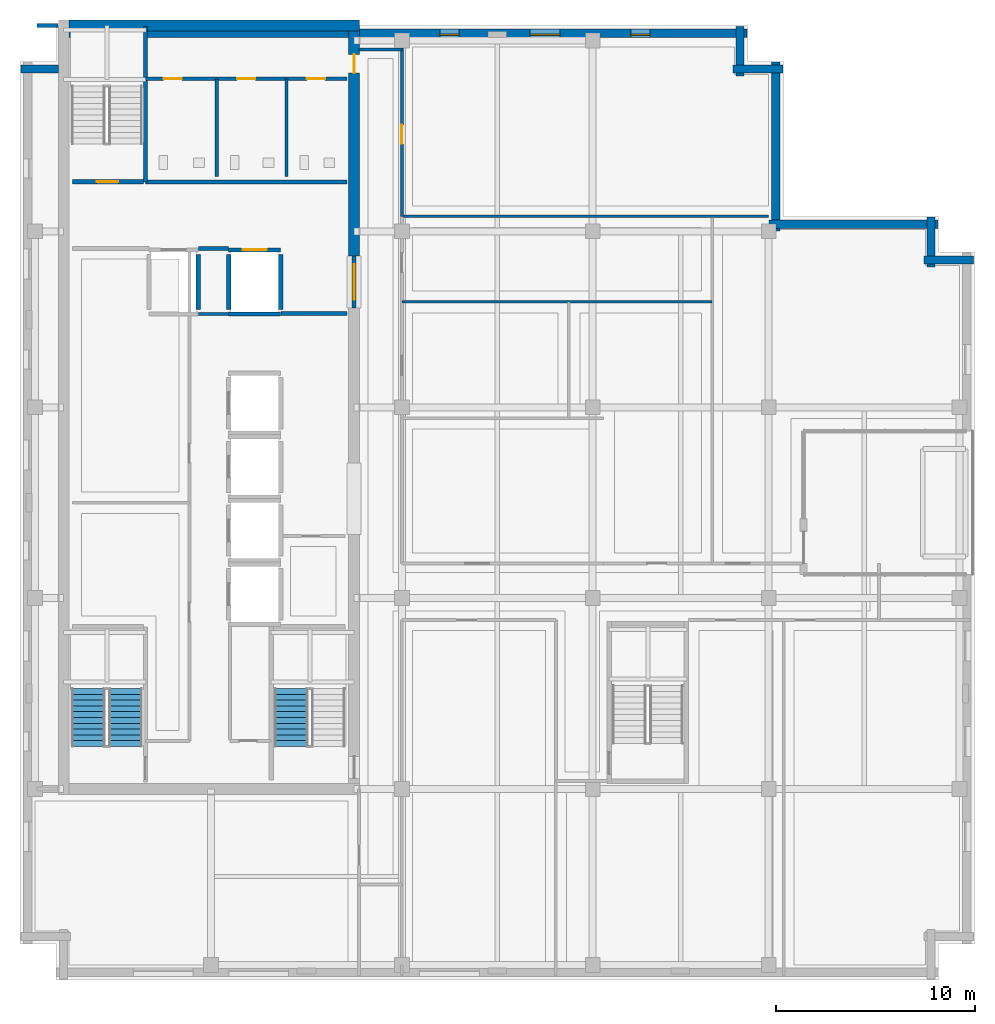
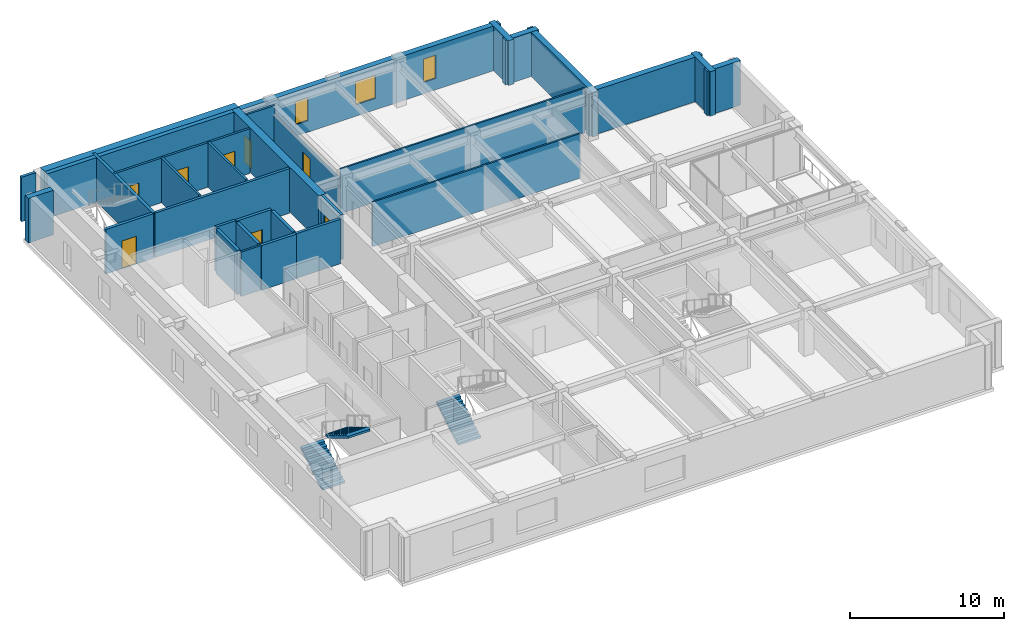
# One storey, part 5 of 13: 30 walls, 8 doors, 3 stair flights, 3 windows, 11 openings, 2 elements without a shape of their own.
"""IFC4 building model written with IfcOpenShell, lengths in metres."""

from ifc_helpers import new_model, si_unit, direction, frame, frame_2d, origin, place, context, subcontext, project, spatial, polyline, rectangle, outline, extrude, material, layer, layer_set, type_object, element, fill, aggregate, save


model = new_model("IFC4")

# Units and contexts
model_context = context("Model", 3, precision=1e-05, world=origin(), true_north=direction((0.0, 1.0)))
body_context = subcontext(model_context, "Body", "Model", "MODEL_VIEW")
ifc_project = project(units=[si_unit("LENGTHUNIT", "METRE"), si_unit("AREAUNIT", "SQUARE_METRE"), si_unit("VOLUMEUNIT", "CUBIC_METRE"), si_unit("PLANEANGLEUNIT", "RADIAN"), si_unit("MASSUNIT", "GRAM", prefix="KILO")], contexts=[model_context])

# Site, building, storey
site_placement = place(None, origin())
site = spatial("IfcSite", under=ifc_project, at=site_placement, CompositionType="ELEMENT")
building_placement = place(site_placement, origin())
building = spatial("IfcBuilding", under=site, at=building_placement, Name="Norrvale University Quadrangle", CompositionType="ELEMENT")
storey_placement = place(building_placement, frame((0.0, 0.0, 277.199951171875)))
storey = spatial("IfcBuildingStorey", under=building, at=storey_placement, Name="L70", CompositionType="ELEMENT", Elevation=277.199951171875)

# Walls
ifc_material_1 = material(Name="Buff Norman Clay Brick Masonry", Category="masonry")
ifc_layer_1 = layer(ifc_material_1, 0.419921875, Name="Buff Norman Clay Brick Masonry")
ifc_layer_set_1 = layer_set([ifc_layer_1], Name="Buff Norman Clay Brick Masonry")
wall_type_1 = type_object("IfcWallType", Name="Wall Buff Brick 420", PredefinedType="SOLIDWALL", material=ifc_layer_set_1)
for number, where, z_axis, x_axis, name in (
    (1, (47.9599609375, 36.2099609375, 0.0), (0.0, 0.0, 1.0), (-1.0, 0.0, 0.0), "Exterior Brick Facade Wall L70-05.1"),
    (2, (45.81005859375, 35.860107421875, 0.0), (0.0, 0.0, 1.0), (0.0, 1.0, 0.0), "Exterior Brick Facade Wall L70-06.1"),
):
    element("IfcWall", number, at=place(storey_placement, frame(where, z_axis=z_axis, x_axis=x_axis)), inside=storey, type_object=wall_type_1, Name=name, PredefinedType="SOLIDWALL", context=body_context, shape_type="SweptSolid", body=[
        extrude(rectangle(XDim=2.5, YDim=0.419921875, at=frame_2d((1.25, 0.0))), origin(), (0.0, 0.0, 1.0), 3.5400390625),
    ])
for number, where, z_axis, x_axis, name in (
    (3, (46.159912109375, 38.010009765625, 0.0), (0.0, 0.0, 1.0), (-1.0, 0.0, 0.0), "Exterior Brick Facade Wall L70-07.1"),
    (4, (38.010009765625, 37.659912109375, 0.0), (0.0, 0.0, 1.0), (0.0, 1.0, 0.0), "Exterior Brick Facade Wall L70-08.1"),
):
    element("IfcWall", number, at=place(storey_placement, frame(where, z_axis=z_axis, x_axis=x_axis)), inside=storey, type_object=wall_type_1, Name=name, PredefinedType="SOLIDWALL", context=body_context, shape_type="SweptSolid", body=[
        extrude(rectangle(XDim=8.5, YDim=0.419921875, at=frame_2d((4.25, 0.0))), origin(), (0.0, 0.0, 1.0), 3.5400390625),
    ])
for number, where, z_axis, x_axis, name in (
    (5, (38.360107421875, 45.81005859375, 0.0), (0.0, 0.0, 1.0), (-1.0, 0.0, 0.0), "Exterior Brick Facade Wall L70-09.1"),
    (6, (36.2099609375, 45.4599609375, 0.0), (0.0, 0.0, 1.0), (0.0, 1.0, 0.0), "Exterior Brick Facade Wall L70-10.1"),
):
    element("IfcWall", number, at=place(storey_placement, frame(where, z_axis=z_axis, x_axis=x_axis)), inside=storey, type_object=wall_type_1, Name=name, PredefinedType="SOLIDWALL", context=body_context, shape_type="SweptSolid", body=[
        extrude(rectangle(XDim=2.5, YDim=0.419921875, at=frame_2d((1.25, 0.0))), origin(), (0.0, 0.0, 1.0), 3.5400390625),
    ])

# Wall, openings, windows
wall_1_placement = place(storey_placement, frame((36.56005859375, 47.610107421875, 0.0), z_axis=(0.0, 0.0, 1.0), x_axis=(-1.0, 0.0, 0.0)))
wall_1 = element("IfcWall", 7, at=wall_1_placement, inside=storey, type_object=wall_type_1, Name="Exterior Brick Facade Wall L70-11.1", PredefinedType="SOLIDWALL", context=body_context, shape_type="SweptSolid", body=[
    extrude(rectangle(XDim=34.0849609375, YDim=0.419921875, at=frame_2d((17.04248046875, 0.0))), origin(), (0.0, 0.0, 1.0), 3.5400390625),
])
opening_1_placement = place(wall_1_placement, frame((4.885009765625, 0.0, 0.89990234375)))
opening_1 = element("IfcOpeningElement", 8, at=opening_1_placement, cuts=wall_1, Name="Opening W04", PredefinedType="OPENING", context=body_context, shape_type="SweptSolid", body=[
    extrude(rectangle(XDim=0.949951171875, YDim=1.85009765625, at=frame_2d((0.47509765625, 0.925048828125))), frame((0.0, 0.221923828125, 0.0), z_axis=(0.0, -1.0, 0.0), x_axis=(1.0, 0.0, 0.0)), (0.0, 0.0, 1.0), 0.44384765625),
])
opening_2_placement = place(wall_1_placement, frame((9.409912109375, 0.0, 0.89990234375)))
opening_2 = element("IfcOpeningElement", 9, at=opening_2_placement, cuts=wall_1, Name="Opening W03", PredefinedType="OPENING", context=body_context, shape_type="SweptSolid", body=[
    extrude(rectangle(XDim=1.5, YDim=1.85009765625, at=frame_2d((0.75, 0.925048828125))), frame((0.0, 0.221923828125, 0.0), z_axis=(0.0, -1.0, 0.0), x_axis=(1.0, 0.0, 0.0)), (0.0, 0.0, 1.0), 0.44384765625),
])
opening_3_placement = place(wall_1_placement, frame((14.485107421875, 0.0, 0.89990234375)))
opening_3 = element("IfcOpeningElement", 10, at=opening_3_placement, cuts=wall_1, Name="Opening W04", PredefinedType="OPENING", context=body_context, shape_type="SweptSolid", body=[
    extrude(rectangle(XDim=0.949951171875, YDim=1.85009765625, at=frame_2d((0.47509765625, 0.925048828125))), frame((0.0, 0.221923828125, 0.0), z_axis=(0.0, -1.0, 0.0), x_axis=(1.0, 0.0, 0.0)), (0.0, 0.0, 1.0), 0.44384765625),
])
ifc_material_2 = material(Name="Triple Low-E Argon Glazing", Category="glass")
window_type_1 = type_object("IfcWindowType", Name="Window Narrow Pier 950x2300", PartitioningType="SINGLE_PANEL", PredefinedType="WINDOW", material=ifc_material_2)
window_1_placement = place(opening_1_placement, origin())
window_1 = element("IfcWindow", 11, at=window_1_placement, inside=storey, type_object=window_type_1, Name="Window Narrow Pier 950x2300 WIN-L70-E11-1-01", OverallHeight=1.85009765625, OverallWidth=0.949951171875, PartitioningType="SINGLE_PANEL", PredefinedType="WINDOW", context=body_context, shape_type="SweptSolid", body=[
    extrude(rectangle(XDim=0.949951171875, YDim=1.85009765625, at=frame_2d((0.47509765625, 0.925048828125))), frame((0.0, 0.110107421875, 0.0), z_axis=(0.0, -1.0, 0.0), x_axis=(1.0, 0.0, 0.0)), (0.0, 0.0, 1.0), 0.06005859375),
])
fill(opening_1, window_1)
window_2_placement = place(opening_3_placement, origin())
window_2 = element("IfcWindow", 12, at=window_2_placement, inside=storey, type_object=window_type_1, Name="Window Narrow Pier 950x2300 WIN-L70-E11-1-03", OverallHeight=1.85009765625, OverallWidth=0.949951171875, PartitioningType="SINGLE_PANEL", PredefinedType="WINDOW", context=body_context, shape_type="SweptSolid", body=[
    extrude(rectangle(XDim=0.949951171875, YDim=1.85009765625, at=frame_2d((0.47509765625, 0.925048828125))), frame((0.0, 0.110107421875, 0.0), z_axis=(0.0, -1.0, 0.0), x_axis=(1.0, 0.0, 0.0)), (0.0, 0.0, 1.0), 0.06005859375),
])
fill(opening_3, window_2)
window_type_2 = type_object("IfcWindowType", Name="Window Studio 1500x2300", PartitioningType="DOUBLE_PANEL_VERTICAL", PredefinedType="WINDOW", material=ifc_material_2)
window_3_placement = place(opening_2_placement, origin())
window_3 = element("IfcWindow", 13, at=window_3_placement, inside=storey, type_object=window_type_2, Name="Window Studio 1500x2300 WIN-L70-E11-1-02", OverallHeight=1.85009765625, OverallWidth=1.5, PartitioningType="DOUBLE_PANEL_VERTICAL", PredefinedType="WINDOW", context=body_context, shape_type="SweptSolid", body=[
    extrude(rectangle(XDim=1.5, YDim=1.85009765625, at=frame_2d((0.75, 0.925048828125))), frame((0.0, 0.110107421875, 0.0), z_axis=(0.0, -1.0, 0.0), x_axis=(1.0, 0.0, 0.0)), (0.0, 0.0, 1.0), 0.06005859375),
])
fill(opening_2, window_3)

# Walls
wall_2_placement = place(storey_placement, frame((1.925048828125, 45.81005859375, 0.0), z_axis=(0.0, 0.0, 1.0), x_axis=(-1.0, 0.0, 0.0)))
element("IfcWall", 14, at=wall_2_placement, inside=storey, type_object=wall_type_1, Name="Exterior Brick Facade Wall L70-13.1", PredefinedType="SOLIDWALL", context=body_context, shape_type="SweptSolid", body=[
    extrude(rectangle(XDim=1.885009765625, YDim=0.419921875, at=frame_2d((0.9423828125, 0.0))), origin(), (0.0, 0.0, 1.0), 3.5400390625),
])
ifc_material_3 = material(Name="Concrete C60/75", Category="concrete")
ifc_layer_2 = layer(ifc_material_3, 0.550048828125, Name="Concrete C60/75")
ifc_layer_set_2 = layer_set([ifc_layer_2], Name="Concrete C60/75")
wall_type_2 = type_object("IfcWallType", Name="Wall Core 550", PredefinedType="SHEAR", material=ifc_layer_set_2)
wall_3_placement = place(storey_placement, frame((2.47509765625, 48.0, 0.0), z_axis=(0.0, 0.0, 1.0), x_axis=(1.0, 0.0, 0.0)))
element("IfcWall", 15, at=wall_3_placement, inside=storey, type_object=wall_type_2, Name="Tower Core Shear Wall L70-N", PredefinedType="SHEAR", context=body_context, shape_type="SweptSolid", body=[
    extrude(rectangle(XDim=14.599853515625, YDim=0.550048828125, at=frame_2d((7.2998046875, 0.0))), origin(), (0.0, 0.0, 1.0), 3.5400390625),
])

# Wall, opening, door
wall_4_placement = place(storey_placement, frame((16.800048828125, 36.39990234375, 0.0), z_axis=(0.0, 0.0, 1.0), x_axis=(0.0, 1.0, 0.0)))
wall_4 = element("IfcWall", 16, at=wall_4_placement, inside=storey, type_object=wall_type_2, Name="Tower Core Shear Wall L70-E3", PredefinedType="SHEAR", context=body_context, shape_type="SweptSolid", body=[
    extrude(rectangle(XDim=11.3251953125, YDim=0.550048828125, at=frame_2d((5.66259765625, 0.0))), origin(), (0.0, 0.0, 1.0), 3.5400390625),
])
opening_4_placement = place(wall_4_placement, frame((9.199951171875, 0.0, 0.0)))
opening_4 = element("IfcOpeningElement", 17, at=opening_4_placement, cuts=wall_4, Name="Opening D07", PredefinedType="OPENING", context=body_context, shape_type="SweptSolid", body=[
    extrude(rectangle(XDim=0.949951171875, YDim=2.14990234375, at=frame_2d((0.47509765625, 1.074951171875))), frame((0.0, 0.287109375, 0.0), z_axis=(0.0, -1.0, 0.0), x_axis=(1.0, 0.0, 0.0)), (0.0, 0.0, 1.0), 0.573974609375),
])
ifc_material_4 = material(Name="Solid-Core Maple Door", Category="wood")
door_type_1 = type_object("IfcDoorType", Name="Door Office 950x2150", OperationType="NOTDEFINED", PredefinedType="DOOR", material=ifc_material_4)
door_1_placement = place(opening_4_placement, origin())
door_1 = element("IfcDoor", 18, at=door_1_placement, inside=storey, type_object=door_type_1, Name="Door Office 950x2150 DR-L70-NECORR", OperationType="SINGLE_SWING_LEFT", OverallHeight=2.14990234375, OverallWidth=0.949951171875, PredefinedType="DOOR", context=body_context, shape_type="SweptSolid", body=[
    extrude(rectangle(XDim=0.949951171875, YDim=2.14990234375, at=frame_2d((0.47509765625, 1.074951171875))), frame((0.0, 0.02490234375, 0.0), z_axis=(0.0, -1.0, 0.0), x_axis=(1.0, 0.0, 0.0)), (0.0, 0.0, 1.0), 0.050048828125),
])
fill(opening_4, door_1)

# Walls
ifc_material_5 = material(Name="Standard Academic Gypsum Partition")
ifc_layer_3 = layer(ifc_material_5, 0.125, Name="Standard Academic Gypsum Partition")
ifc_layer_set_3 = layer_set([ifc_layer_3], Name="Standard Academic Gypsum Partition")
wall_type_3 = type_object("IfcWallType", Name="Wall Gypsum Academic 125", PredefinedType="PARTITIONING", material=ifc_layer_set_3)
wall_5_placement = place(storey_placement, frame((19.199951171875, 34.10009765625, 0.0), z_axis=(0.0, 0.0, 1.0), x_axis=(1.0, 0.0, 0.0)))
element("IfcWall", 19, at=wall_5_placement, inside=storey, type_object=wall_type_3, Name="Interior Partition WL-L70-MEN-M2", PredefinedType="PARTITIONING", context=body_context, shape_type="SweptSolid", body=[
    extrude(rectangle(XDim=15.60009765625, YDim=0.125, at=frame_2d((7.800048828125, 0.0))), origin(), (0.0, 0.0, 1.0), 3.5400390625),
])
wall_6_placement = place(storey_placement, frame((19.280029296875, 38.39990234375, 0.0), z_axis=(0.0, 0.0, 1.0), x_axis=(1.0, 0.0, 0.0)))
element("IfcWall", 20, at=wall_6_placement, inside=storey, type_object=wall_type_3, Name="Interior Partition WL-L70-MEN-N", PredefinedType="PARTITIONING", context=body_context, shape_type="SweptSolid", body=[
    extrude(rectangle(XDim=18.369873046875, YDim=0.125, at=frame_2d((9.18505859375, 0.0))), origin(), (0.0, 0.0, 1.0), 3.5400390625),
])
ifc_material_6 = material(Name="Fire-Rated Gypsum Stud Partition")
ifc_layer_4 = layer(ifc_material_6, 0.14990234375, Name="Fire-Rated Gypsum Stud Partition")
ifc_layer_set_4 = layer_set([ifc_layer_4], Name="Fire-Rated Gypsum Stud Partition")
wall_type_4 = type_object("IfcWallType", Name="Wall Gypsum Corridor 150", PredefinedType="PARTITIONING", material=ifc_layer_set_4)
wall_7_placement = place(storey_placement, frame((8.965087890625, 33.489990234375, 0.0), z_axis=(0.0, 0.0, 1.0), x_axis=(1.0, 0.0, 0.0)))
element("IfcWall", 21, at=wall_7_placement, inside=storey, type_object=wall_type_4, Name="Interior Partition WL-L70-LL3", PredefinedType="PARTITIONING", context=body_context, shape_type="SweptSolid", body=[
    extrude(rectangle(XDim=1.52001953125, YDim=0.14990234375, at=frame_2d((0.760009765625, 0.0))), origin(), (0.0, 0.0, 1.0), 3.5400390625),
])
wall_8_placement = place(storey_placement, frame((17.050048828125, 46.800048828125, 0.0), z_axis=(0.0, 0.0, 1.0), x_axis=(1.0, 0.0, 0.0)))
element("IfcWall", 22, at=wall_8_placement, inside=storey, type_object=wall_type_4, Name="Interior Partition WL-L70-CSP-N", PredefinedType="PARTITIONING", context=body_context, shape_type="SweptSolid", body=[
    extrude(rectangle(XDim=2.14990234375, YDim=0.14990234375, at=frame_2d((1.074951171875, 0.0))), origin(), (0.0, 0.0, 1.0), 3.5400390625),
])

# Wall, opening, door
wall_9_placement = place(storey_placement, frame((19.199951171875, 38.39990234375, 0.0), z_axis=(0.0, 0.0, 1.0), x_axis=(0.0, 1.0, 0.0)))
wall_9 = element("IfcWall", 23, at=wall_9_placement, inside=storey, type_object=wall_type_4, Name="Interior Partition WL-L70-NECW", PredefinedType="PARTITIONING", context=body_context, shape_type="SweptSolid", body=[
    extrude(rectangle(XDim=9.050048828125, YDim=0.14990234375, at=frame_2d((4.52490234375, 0.0))), origin(), (0.0, 0.0, 1.0), 2.844970703125),
])
opening_5_placement = place(wall_9_placement, frame((3.64990234375, 0.0, 0.0)))
opening_5 = element("IfcOpeningElement", 24, at=opening_5_placement, cuts=wall_9, Name="Opening D07", PredefinedType="OPENING", context=body_context, shape_type="SweptSolid", body=[
    extrude(rectangle(XDim=0.949951171875, YDim=2.14990234375, at=frame_2d((0.47509765625, 1.074951171875))), frame((0.0, 0.0869140625, 0.0), z_axis=(0.0, -1.0, 0.0), x_axis=(1.0, 0.0, 0.0)), (0.0, 0.0, 1.0), 0.173828125),
])
door_2_placement = place(opening_5_placement, origin())
door_2 = element("IfcDoor", 25, at=door_2_placement, inside=storey, type_object=door_type_1, Name="Door Office 950x2150 DR-L70-NE01", OperationType="SINGLE_SWING_RIGHT", OverallHeight=2.14990234375, OverallWidth=0.949951171875, PredefinedType="DOOR", context=body_context, shape_type="SweptSolid", body=[
    extrude(rectangle(XDim=0.949951171875, YDim=2.14990234375, at=frame_2d((0.47509765625, 1.074951171875))), frame((0.0, 0.02490234375, 0.0), z_axis=(0.0, -1.0, 0.0), x_axis=(1.0, 0.0, 0.0)), (0.0, 0.0, 1.0), 0.050048828125),
])
fill(opening_5, door_2)

# Wall, openings, doors
ifc_material_7 = material(Name="Sanitary Chase Gypsum Partition")
ifc_layer_5 = layer(ifc_material_7, 0.1650390625, Name="Sanitary Chase Gypsum Partition")
ifc_layer_set_5 = layer_set([ifc_layer_5], Name="Sanitary Chase Gypsum Partition")
wall_type_5 = type_object("IfcWallType", Name="Wall Gypsum Sanitary 165", PredefinedType="PLUMBINGWALL", material=ifc_layer_set_5)
wall_10_placement = place(storey_placement, frame((6.320068359375, 45.320068359375, 0.0), z_axis=(0.0, 0.0, 1.0), x_axis=(1.0, 0.0, 0.0)))
wall_10 = element("IfcWall", 26, at=wall_10_placement, inside=storey, type_object=wall_type_5, Name="Interior Partition WL-L70-WCN", PredefinedType="PLUMBINGWALL", context=body_context, shape_type="SweptSolid", body=[
    extrude(rectangle(XDim=10.1298828125, YDim=0.1650390625, at=frame_2d((5.06494140625, 0.0))), origin(), (0.0, 0.0, 1.0), 3.5400390625),
])
opening_6_placement = place(wall_10_placement, frame((0.89990234375, 0.0, 0.0)))
opening_6 = element("IfcOpeningElement", 27, at=opening_6_placement, cuts=wall_10, Name="Opening D08", PredefinedType="OPENING", context=body_context, shape_type="SweptSolid", body=[
    extrude(rectangle(XDim=0.919921875, YDim=2.14990234375, at=frame_2d((0.4599609375, 1.074951171875))), frame((0.0, 0.094482421875, 0.0), z_axis=(0.0, -1.0, 0.0), x_axis=(1.0, 0.0, 0.0)), (0.0, 0.0, 1.0), 0.18896484375),
])
opening_7_placement = place(wall_10_placement, frame((4.60009765625, 0.0, 0.0)))
opening_7 = element("IfcOpeningElement", 28, at=opening_7_placement, cuts=wall_10, Name="Opening D08", PredefinedType="OPENING", context=body_context, shape_type="SweptSolid", body=[
    extrude(rectangle(XDim=0.919921875, YDim=2.14990234375, at=frame_2d((0.4599609375, 1.074951171875))), frame((0.0, 0.094482421875, 0.0), z_axis=(0.0, -1.0, 0.0), x_axis=(1.0, 0.0, 0.0)), (0.0, 0.0, 1.0), 0.18896484375),
])
opening_8_placement = place(wall_10_placement, frame((8.10009765625, 0.0, 0.0)))
opening_8 = element("IfcOpeningElement", 29, at=opening_8_placement, cuts=wall_10, Name="Opening D08", PredefinedType="OPENING", context=body_context, shape_type="SweptSolid", body=[
    extrude(rectangle(XDim=0.919921875, YDim=2.14990234375, at=frame_2d((0.4599609375, 1.074951171875))), frame((0.0, 0.094482421875, 0.0), z_axis=(0.0, -1.0, 0.0), x_axis=(1.0, 0.0, 0.0)), (0.0, 0.0, 1.0), 0.18896484375),
])
ifc_material_8 = material(Name="Laminate Washroom Door", Category="wood")
door_type_2 = type_object("IfcDoorType", Name="Door Washroom 920x2150", OperationType="NOTDEFINED", PredefinedType="DOOR", material=ifc_material_8)
door_3_placement = place(opening_6_placement, origin())
door_3 = element("IfcDoor", 30, at=door_3_placement, inside=storey, type_object=door_type_2, Name="Door Washroom 920x2150 DR-L70-WC1", OperationType="SINGLE_SWING_LEFT", OverallHeight=2.14990234375, OverallWidth=0.919921875, PredefinedType="DOOR", context=body_context, shape_type="SweptSolid", body=[
    extrude(rectangle(XDim=0.919921875, YDim=2.14990234375, at=frame_2d((0.4599609375, 1.074951171875))), frame((0.0, 0.02490234375, 0.0), z_axis=(0.0, -1.0, 0.0), x_axis=(1.0, 0.0, 0.0)), (0.0, 0.0, 1.0), 0.050048828125),
])
fill(opening_6, door_3)
door_4_placement = place(opening_7_placement, origin())
door_4 = element("IfcDoor", 31, at=door_4_placement, inside=storey, type_object=door_type_2, Name="Door Washroom 920x2150 DR-L70-WC2", OperationType="SINGLE_SWING_RIGHT", OverallHeight=2.14990234375, OverallWidth=0.919921875, PredefinedType="DOOR", context=body_context, shape_type="SweptSolid", body=[
    extrude(rectangle(XDim=0.919921875, YDim=2.14990234375, at=frame_2d((0.4599609375, 1.074951171875))), frame((0.0, 0.02490234375, 0.0), z_axis=(0.0, -1.0, 0.0), x_axis=(1.0, 0.0, 0.0)), (0.0, 0.0, 1.0), 0.050048828125),
])
fill(opening_7, door_4)
door_5_placement = place(opening_8_placement, origin())
door_5 = element("IfcDoor", 32, at=door_5_placement, inside=storey, type_object=door_type_2, Name="Door Washroom 920x2150 DR-L70-WC3", OperationType="SINGLE_SWING_LEFT", OverallHeight=2.14990234375, OverallWidth=0.919921875, PredefinedType="DOOR", context=body_context, shape_type="SweptSolid", body=[
    extrude(rectangle(XDim=0.919921875, YDim=2.14990234375, at=frame_2d((0.4599609375, 1.074951171875))), frame((0.0, 0.02490234375, 0.0), z_axis=(0.0, -1.0, 0.0), x_axis=(1.0, 0.0, 0.0)), (0.0, 0.0, 1.0), 0.050048828125),
])
fill(opening_8, door_5)

# Walls
for number, where, z_axis, x_axis, name in (
    (33, (9.89990234375, 40.39990234375, 0.0), (0.0, 0.0, 1.0), (0.0, 1.0, 0.0), "Interior Partition WL-L70-WCM1"),
    (34, (13.39990234375, 40.39990234375, 0.0), (0.0, 0.0, 1.0), (0.0, 1.0, 0.0), "Interior Partition WL-L70-WCM2"),
):
    element("IfcWall", number, at=place(storey_placement, frame(where, z_axis=z_axis, x_axis=x_axis)), inside=storey, type_object=wall_type_5, Name=name, PredefinedType="PLUMBINGWALL", context=body_context, shape_type="SweptSolid", body=[
        extrude(rectangle(XDim=4.920166015625, YDim=0.1650390625, at=frame_2d((2.4599609375, 0.0))), origin(), (0.0, 0.0, 1.0), 3.5400390625),
    ])
ifc_material_9 = material(Name="Concrete Blockwork 20 MPa Rated Wall", Category="masonry")
ifc_layer_6 = layer(ifc_material_9, 0.199951171875, Name="Concrete Blockwork 20 MPa Rated Wall")
ifc_layer_set_6 = layer_set([ifc_layer_6], Name="Concrete Blockwork 20 MPa Rated Wall")
wall_type_6 = type_object("IfcWallType", Name="Wall Lobby 200", PredefinedType="SOLIDWALL", material=ifc_layer_set_6)
wall_11_placement = place(storey_placement, frame((8.969970703125, 36.780029296875, 0.0), z_axis=(0.0, 0.0, 1.0), x_axis=(1.0, 0.0, 0.0)))
element("IfcWall", 35, at=wall_11_placement, inside=storey, type_object=wall_type_6, Name="Interior Partition WL-L70-FF2", PredefinedType="SOLIDWALL", context=body_context, shape_type="SweptSolid", body=[
    extrude(rectangle(XDim=1.510009765625, YDim=0.199951171875, at=frame_2d((0.7548828125, 0.0))), origin(), (0.0, 0.0, 1.0), 3.5400390625),
])
wall_12_placement = place(storey_placement, frame((13.1201171875, 33.52001953125, 0.0), z_axis=(0.0, 0.0, 1.0), x_axis=(1.0, 0.0, 0.0)))
element("IfcWall", 36, at=wall_12_placement, inside=storey, type_object=wall_type_6, Name="Interior Partition WL-L70-FF3", PredefinedType="SOLIDWALL", context=body_context, shape_type="SweptSolid", body=[
    extrude(rectangle(XDim=3.329833984375, YDim=0.199951171875, at=frame_2d((1.6650390625, 0.0))), origin(), (0.0, 0.0, 1.0), 3.5400390625),
])
wall_13_placement = place(storey_placement, frame((6.320068359375, 40.139892578125, 0.0), z_axis=(0.0, 0.0, 1.0), x_axis=(1.0, 0.0, 0.0)))
element("IfcWall", 37, at=wall_13_placement, inside=storey, type_object=wall_type_6, Name="Interior Partition WL-L70-FF4", PredefinedType="SOLIDWALL", context=body_context, shape_type="SweptSolid", body=[
    extrude(rectangle(XDim=10.1298828125, YDim=0.199951171875, at=frame_2d((5.06494140625, 0.0))), origin(), (0.0, 0.0, 1.0), 3.5400390625),
])

# Wall, opening, door
wall_14_placement = place(storey_placement, frame((16.800048828125, 33.800048828125, 0.0), z_axis=(0.0, 0.0, 1.0), x_axis=(0.0, 1.0, 0.0)))
wall_14 = element("IfcWall", 38, at=wall_14_placement, inside=storey, type_object=wall_type_6, Name="Interior Partition WL-L70-FFP", PredefinedType="SOLIDWALL", context=body_context, shape_type="SweptSolid", body=[
    extrude(rectangle(XDim=2.599853515625, YDim=0.199951171875, at=frame_2d((1.2998046875, 0.0))), origin(), (0.0, 0.0, 1.0), 3.5400390625),
])
opening_9_placement = place(wall_14_placement, frame((0.39990234375, 0.0, 0.0)))
opening_9 = element("IfcOpeningElement", 39, at=opening_9_placement, cuts=wall_14, Name="Opening D03", PredefinedType="OPENING", context=body_context, shape_type="SweptSolid", body=[
    extrude(rectangle(XDim=1.800048828125, YDim=2.199951171875, at=frame_2d((0.89990234375, 1.10009765625))), frame((0.0, 0.112060546875, 0.0), z_axis=(0.0, -1.0, 0.0), x_axis=(1.0, 0.0, 0.0)), (0.0, 0.0, 1.0), 0.223876953125),
])
ifc_material_10 = material(Name="Hollow Steel 350W Fire Door", Category="steel")
door_type_3 = type_object("IfcDoorType", Name="Door Fire Lobby 1800x2200", OperationType="DOUBLE_DOOR_SINGLE_SWING", PredefinedType="DOOR", material=ifc_material_10)
door_6_placement = place(opening_9_placement, origin())
door_6 = element("IfcDoor", 40, at=door_6_placement, inside=storey, type_object=door_type_3, Name="Door Fire Lobby 1800x2200 DR-L70-FFP", OperationType="DOUBLE_DOOR_SINGLE_SWING", OverallHeight=2.199951171875, OverallWidth=1.800048828125, PredefinedType="DOOR", context=body_context, shape_type="SweptSolid", body=[
    extrude(rectangle(XDim=1.800048828125, YDim=2.199951171875, at=frame_2d((0.89990234375, 1.10009765625))), frame((0.0, 0.02490234375, 0.0), z_axis=(0.0, -1.0, 0.0), x_axis=(1.0, 0.0, 0.0)), (0.0, 0.0, 1.0), 0.050048828125),
])
fill(opening_9, door_6)

# Wall
wall_15_placement = place(storey_placement, frame((0.85009765625, 48.0, 0.0), z_axis=(0.0, 0.0, 1.0), x_axis=(1.0, 0.0, 0.0)))
element("IfcWall", 41, at=wall_15_placement, inside=storey, type_object=wall_type_6, Name="Interior Partition WL-L70-CWRET-N", PredefinedType="SOLIDWALL", context=body_context, shape_type="SweptSolid", body=[
    extrude(rectangle(XDim=1.06982421875, YDim=0.199951171875, at=frame_2d((0.534912109375, 0.0))), origin(), (0.0, 0.0, 1.0), 3.5400390625),
])

# Wall, opening, door
ifc_material_11 = material(Name="Concrete Blockwork 20 MPa Fire Shaft", Category="masonry")
ifc_layer_7 = layer(ifc_material_11, 0.219970703125, Name="Concrete Blockwork 20 MPa Fire Shaft")
ifc_layer_set_7 = layer_set([ifc_layer_7], Name="Concrete Blockwork 20 MPa Fire Shaft")
wall_type_7 = type_object("IfcWallType", Name="Wall Shaft 220", PredefinedType="SOLIDWALL", material=ifc_layer_set_7)
wall_16_placement = place(storey_placement, frame((2.64990234375, 40.139892578125, 0.0), z_axis=(0.0, 0.0, 1.0), x_axis=(1.0, 0.0, 0.0)))
wall_16 = element("IfcWall", 42, at=wall_16_placement, inside=storey, type_object=wall_type_7, Name="Stair ST-02 South Shaft Wall L70", PredefinedType="SOLIDWALL", context=body_context, shape_type="SweptSolid", body=[
    extrude(rectangle(XDim=3.550048828125, YDim=0.219970703125, at=frame_2d((1.77490234375, 0.0))), origin(), (0.0, 0.0, 1.0), 3.5400390625),
])
opening_10_placement = place(wall_16_placement, frame((1.199951171875, 0.0, 0.0)))
opening_10 = element("IfcOpeningElement", 43, at=opening_10_placement, cuts=wall_16, Name="Opening D02", PredefinedType="OPENING", context=body_context, shape_type="SweptSolid", body=[
    extrude(rectangle(XDim=1.10009765625, YDim=2.199951171875, at=frame_2d((0.550048828125, 1.10009765625))), frame((0.0, 0.1220703125, 0.0), z_axis=(0.0, -1.0, 0.0), x_axis=(1.0, 0.0, 0.0)), (0.0, 0.0, 1.0), 0.243896484375),
])
door_type_4 = type_object("IfcDoorType", Name="Door Stair Exit 1100x2200", OperationType="NOTDEFINED", PredefinedType="DOOR", material=ifc_material_10)
door_7_placement = place(opening_10_placement, origin())
door_7 = element("IfcDoor", 44, at=door_7_placement, inside=storey, type_object=door_type_4, Name="Door Stair Exit 1100x2200 DR-L70-ST02", OperationType="SINGLE_SWING_LEFT", OverallHeight=2.199951171875, OverallWidth=1.10009765625, PredefinedType="DOOR", context=body_context, shape_type="SweptSolid", body=[
    extrude(rectangle(XDim=1.10009765625, YDim=2.199951171875, at=frame_2d((0.550048828125, 1.10009765625))), frame((0.0, 0.02490234375, 0.0), z_axis=(0.0, -1.0, 0.0), x_axis=(1.0, 0.0, 0.0)), (0.0, 0.0, 1.0), 0.050048828125),
])
fill(opening_10, door_7)

# Walls
wall_17_placement = place(storey_placement, frame((6.31005859375, 40.139892578125, 0.0), z_axis=(0.0, 0.0, 1.0), x_axis=(0.0, 1.0, 0.0)))
element("IfcWall", 45, at=wall_17_placement, inside=storey, type_object=wall_type_7, Name="Stair ST-02 East Shaft Wall L70", PredefinedType="SOLIDWALL", context=body_context, shape_type="SweptSolid", body=[
    extrude(rectangle(XDim=7.81005859375, YDim=0.219970703125, at=frame_2d((3.905029296875, 0.0))), origin(), (0.0, 0.0, 1.0), 3.5400390625),
])
for number, where, z_axis, x_axis, name in (
    (46, (8.9599609375, 33.7099609375, 0.0), (0.0, 0.0, 1.0), (0.0, 1.0, 0.0), "Hoistway FFL-01 East Wall L70"),
    (47, (10.489990234375, 33.7099609375, 0.0), (0.0, 0.0, 1.0), (0.0, 1.0, 0.0), "Hoistway FFL-02 West Wall L70"),
    (48, (13.110107421875, 33.7099609375, 0.0), (0.0, 0.0, 1.0), (0.0, 1.0, 0.0), "Hoistway FFL-02 East Wall L70"),
):
    element("IfcWall", number, at=place(storey_placement, frame(where, z_axis=z_axis, x_axis=x_axis)), inside=storey, type_object=wall_type_7, Name=name, PredefinedType="SOLIDWALL", context=body_context, shape_type="SweptSolid", body=[
        extrude(rectangle(XDim=2.780029296875, YDim=0.219970703125, at=frame_2d((1.39013671875, 0.0))), origin(), (0.0, 0.0, 1.0), 3.5400390625),
    ])
wall_18_placement = place(storey_placement, frame((10.489990234375, 33.489990234375, 0.0), z_axis=(0.0, 0.0, 1.0), x_axis=(1.0, 0.0, 0.0)))
element("IfcWall", 49, at=wall_18_placement, inside=storey, type_object=wall_type_7, Name="Hoistway FFL-02 South Wall L70", PredefinedType="SOLIDWALL", context=body_context, shape_type="SweptSolid", body=[
    extrude(rectangle(XDim=2.6201171875, YDim=0.219970703125, at=frame_2d((1.31005859375, 0.0))), origin(), (0.0, 0.0, 1.0), 3.5400390625),
])

# Wall, opening, door
wall_19_placement = place(storey_placement, frame((10.489990234375, 36.7099609375, 0.0), z_axis=(0.0, 0.0, 1.0), x_axis=(1.0, 0.0, 0.0)))
wall_19 = element("IfcWall", 50, at=wall_19_placement, inside=storey, type_object=wall_type_7, Name="Hoistway FFL-02 North Wall L70", PredefinedType="SOLIDWALL", context=body_context, shape_type="SweptSolid", body=[
    extrude(rectangle(XDim=2.6201171875, YDim=0.219970703125, at=frame_2d((1.31005859375, 0.0))), origin(), (0.0, 0.0, 1.0), 3.5400390625),
])
opening_11_placement = place(wall_19_placement, frame((0.7099609375, 0.0, 0.0)))
opening_11 = element("IfcOpeningElement", 51, at=opening_11_placement, cuts=wall_19, Name="Opening LD2", PredefinedType="OPENING", context=body_context, shape_type="SweptSolid", body=[
    extrude(rectangle(XDim=1.199951171875, YDim=2.199951171875, at=frame_2d((0.60009765625, 1.10009765625))), frame((0.0, 0.1220703125, 0.0), z_axis=(0.0, -1.0, 0.0), x_axis=(1.0, 0.0, 0.0)), (0.0, 0.0, 1.0), 0.243896484375),
])
ifc_material_12 = material(Name="Stainless Steel 316L Firefighter Lift Door", Category="steel")
door_type_5 = type_object("IfcDoorType", Name="Door Fire Lift 1200x2200", OperationType="DOUBLE_DOOR_SLIDING", PredefinedType="DOOR", material=ifc_material_12)
door_8_placement = place(opening_11_placement, origin())
door_8 = element("IfcDoor", 52, at=door_8_placement, inside=storey, type_object=door_type_5, Name="Elevator Landing Door DR-L70-FFL-02", OperationType="DOUBLE_DOOR_SLIDING", OverallHeight=2.199951171875, OverallWidth=1.199951171875, PredefinedType="DOOR", context=body_context, shape_type="SweptSolid", body=[
    extrude(rectangle(XDim=1.199951171875, YDim=2.199951171875, at=frame_2d((0.60009765625, 1.10009765625))), frame((0.0, 0.02490234375, 0.0), z_axis=(0.0, -1.0, 0.0), x_axis=(1.0, 0.0, 0.0)), (0.0, 0.0, 1.0), 0.050048828125),
])
fill(opening_11, door_8)

# Stair, stair flights
ifc_material_13 = material(Name="Concrete C40/50", Category="concrete")
stair_type = type_object("IfcStairType", Name="Stair Tower Typ 3800", PredefinedType="TWO_STRAIGHT_RUN_STAIR", material=ifc_material_13)
stair_1_placement = place(storey_placement, origin())
stair_1 = element("IfcStair", 53, at=stair_1_placement, inside=storey, type_object=stair_type, Name="Exit Stair ST-01 L70", PredefinedType="TWO_STRAIGHT_RUN_STAIR")
stair_flight_type = type_object("IfcStairFlightType", Name="Flight Typ 1500", PredefinedType="STRAIGHT", material=ifc_material_13)
stair_flight_1_placement = place(storey_placement, frame((3.429931640625, 11.75, 0.0), z_axis=(0.0, 0.0, 1.0), x_axis=(0.0, 1.0, 0.0)))
stair_flight_1 = element("IfcStairFlight", 54, at=stair_flight_1_placement, type_object=stair_flight_type, Name="Exit Stair ST-01 L70 Lower Flight", NumberOfRisers=11, NumberOfTreads=10, PredefinedType="STRAIGHT", RiserHeight=0.172727, TreadLength=0.29, context=body_context, shape_type="SweptSolid", body=[
    extrude(outline(polyline([(0.0, 0.0), (0.0, 0.172607421875), (0.2900390625, 0.172607421875), (0.2900390625, 0.345458984375), (0.580078125, 0.345458984375), (0.580078125, 0.51806640625), (0.8701171875, 0.51806640625), (0.8701171875, 0.69091796875), (1.159912109375, 0.69091796875), (1.159912109375, 0.863525390625), (1.449951171875, 0.863525390625), (1.449951171875, 1.036376953125), (1.739990234375, 1.036376953125), (1.739990234375, 1.208984375), (2.030029296875, 1.208984375), (2.030029296875, 1.3818359375), (2.320068359375, 1.3818359375), (2.320068359375, 1.554443359375), (2.610107421875, 1.554443359375), (2.610107421875, 1.727294921875), (2.89990234375, 1.727294921875), (2.89990234375, 1.89990234375), (2.89990234375, 1.552734375), (0.29296875, 0.0), (0.0, 0.0)])), frame((0.0, 0.83984375, 0.0), z_axis=(0.0, -1.0, 0.0), x_axis=(1.0, 0.0, 0.0)), (0.0, 0.0, 1.0), 1.679931640625),
])
stair_flight_2_placement = place(storey_placement, frame((5.320068359375, 14.64990234375, 1.900146484375), z_axis=(0.0, 0.0, 1.0), x_axis=(0.0, -1.0, 0.0)))
stair_flight_2 = element("IfcStairFlight", 55, at=stair_flight_2_placement, type_object=stair_flight_type, Name="Exit Stair ST-01 L70 Upper Flight", NumberOfRisers=11, NumberOfTreads=10, PredefinedType="STRAIGHT", RiserHeight=0.172727, TreadLength=0.29, context=body_context, shape_type="SweptSolid", body=[
    extrude(outline(polyline([(0.0, 0.0), (0.0, 0.172607421875), (0.2900390625, 0.172607421875), (0.2900390625, 0.345458984375), (0.580078125, 0.345458984375), (0.580078125, 0.51806640625), (0.8701171875, 0.51806640625), (0.8701171875, 0.69091796875), (1.159912109375, 0.69091796875), (1.159912109375, 0.863525390625), (1.449951171875, 0.863525390625), (1.449951171875, 1.036376953125), (1.739990234375, 1.036376953125), (1.739990234375, 1.208984375), (2.030029296875, 1.208984375), (2.030029296875, 1.3818359375), (2.320068359375, 1.3818359375), (2.320068359375, 1.554443359375), (2.610107421875, 1.554443359375), (2.610107421875, 1.727294921875), (2.89990234375, 1.727294921875), (2.89990234375, 1.89990234375), (2.89990234375, 1.552734375), (0.29296875, 0.0), (0.0, 0.0)])), frame((0.0, 0.83984375, 0.0), z_axis=(0.0, -1.0, 0.0), x_axis=(1.0, 0.0, 0.0)), (0.0, 0.0, 1.0), 1.679931640625),
])
aggregate(stair_1, [stair_flight_1, stair_flight_2])

# Stair, stair flight
stair_2_placement = place(storey_placement, origin())
stair_2 = element("IfcStair", 56, at=stair_2_placement, inside=storey, type_object=stair_type, Name="Exit Stair ST-03 L70", PredefinedType="TWO_STRAIGHT_RUN_STAIR")
stair_flight_3_placement = place(storey_placement, frame((13.6298828125, 11.75, 0.0), z_axis=(0.0, 0.0, 1.0), x_axis=(0.0, 1.0, 0.0)))
stair_flight_3 = element("IfcStairFlight", 57, at=stair_flight_3_placement, type_object=stair_flight_type, Name="Exit Stair ST-03 L70 Lower Flight", NumberOfRisers=11, NumberOfTreads=10, PredefinedType="STRAIGHT", RiserHeight=0.172727, TreadLength=0.29, context=body_context, shape_type="SweptSolid", body=[
    extrude(outline(polyline([(0.0, 0.0), (0.0, 0.172607421875), (0.2900390625, 0.172607421875), (0.2900390625, 0.345458984375), (0.580078125, 0.345458984375), (0.580078125, 0.51806640625), (0.8701171875, 0.51806640625), (0.8701171875, 0.69091796875), (1.159912109375, 0.69091796875), (1.159912109375, 0.863525390625), (1.449951171875, 0.863525390625), (1.449951171875, 1.036376953125), (1.739990234375, 1.036376953125), (1.739990234375, 1.208984375), (2.030029296875, 1.208984375), (2.030029296875, 1.3818359375), (2.320068359375, 1.3818359375), (2.320068359375, 1.554443359375), (2.610107421875, 1.554443359375), (2.610107421875, 1.727294921875), (2.89990234375, 1.727294921875), (2.89990234375, 1.89990234375), (2.89990234375, 1.552734375), (0.29296875, 0.0), (0.0, 0.0)])), frame((0.0, 0.83984375, 0.0), z_axis=(0.0, -1.0, 0.0), x_axis=(1.0, 0.0, 0.0)), (0.0, 0.0, 1.0), 1.679931640625),
])
aggregate(stair_2, [stair_flight_3])

save(model, "model.ifc")
